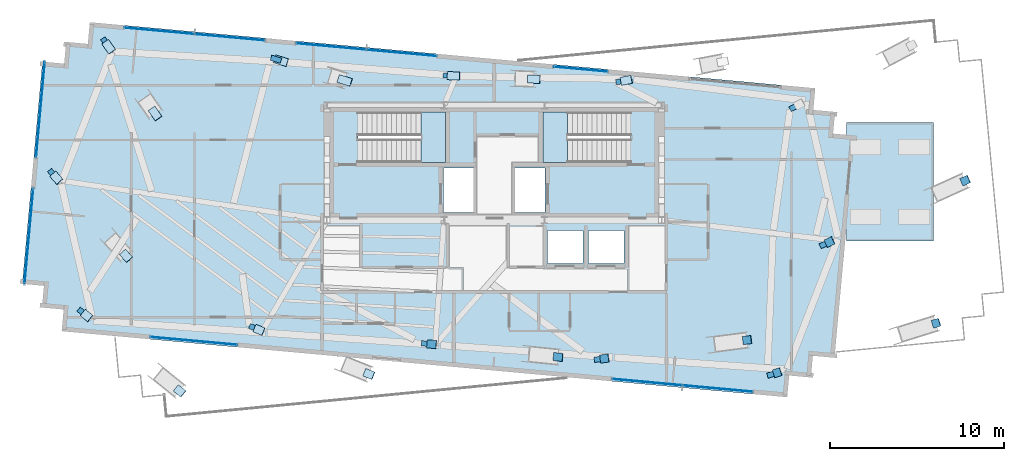
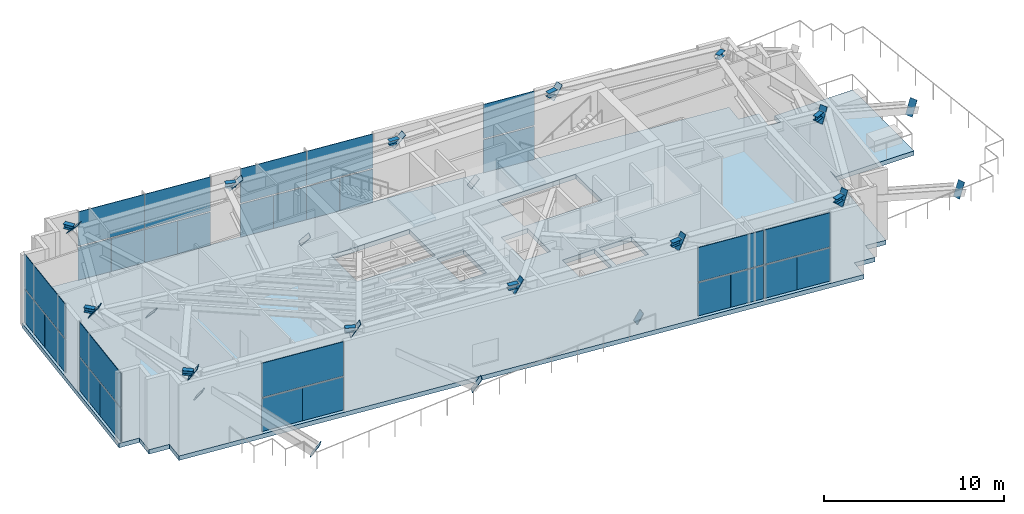
# One storey, part 12 of 20: 50 plates, 12 beams, 3 slabs, 9 elements without a shape of their own.
"""IFC4 building model written with IfcOpenShell, lengths in metres."""

import ifcopenshell
import ifcopenshell.guid

model = None  # the IFC model being written
_history = None  # IfcOwnerHistory: only IFC2X3 demands one
_inside = {}  # id of a spatial element -> (the spatial element, [elements in it])
_under = {}  # id of a project, library or spatial element -> (it, [spatial elements below it])
_declared = {}  # id of a project -> (the project, [libraries it declares])
_typed = {}  # id of a type object -> (the type object, [elements of that type])
_made_of = {}  # id of a material, layer set ... -> (it, [elements and type objects made of it])


def new_model(schema):
    """Start an empty IFC model of exactly this schema.

    Asked for "IFC4X3", IfcOpenShell would pick the latest addendum, in which some entities
    have other attributes; the version numbers below select the first issue.
    IFC2X3 requires an IfcOwnerHistory on every rooted entity: one is made here for all.
    """
    global model, _history
    if schema == "IFC4X3":
        model = ifcopenshell.file(schema_version=(4, 3, 0, 0))
    else:
        model = ifcopenshell.file(schema=schema)
    _inside.clear()
    _under.clear()
    _declared.clear()
    _typed.clear()
    _made_of.clear()
    _history = None
    if model.schema == "IFC2X3":
        org = make("IfcOrganization", Name="unknown")
        user = make(
            "IfcPersonAndOrganization",
            ThePerson=make("IfcPerson", FamilyName="unknown"),
            TheOrganization=org,
        )
        app = make(
            "IfcApplication",
            ApplicationDeveloper=org,
            Version="unknown",
            ApplicationFullName="unknown",
            ApplicationIdentifier="unknown",
        )
        _history = make(
            "IfcOwnerHistory",
            OwningUser=user,
            OwningApplication=app,
            ChangeAction="ADDED",
            CreationDate=0,
        )
    return model


def make(cls, **values):
    """One entity of the class cls with the attributes given. An attribute that is None is left unset."""
    return model.create_entity(
        cls, **{name: value for name, value in values.items() if value is not None}
    )


def rooted(cls, **values):
    """An entity with a GlobalId (a new one), such as an element, a storey or a relation."""
    return make(cls, GlobalId=ifcopenshell.guid.new(), OwnerHistory=_history, **values)


def si_unit(unit_type, name, prefix=None):
    """IfcSIUnit, for example si_unit("LENGTHUNIT", "METRE", prefix="MILLI")."""
    return make("IfcSIUnit", UnitType=unit_type, Prefix=prefix, Name=name)


def assignment(units):
    """IfcUnitAssignment: the units of a project."""
    return None if units is None else make("IfcUnitAssignment", Units=units)


def point(xyz):
    """IfcCartesianPoint."""
    return None if xyz is None else make("IfcCartesianPoint", Coordinates=xyz)


def direction(xyz):
    """IfcDirection."""
    return None if xyz is None else make("IfcDirection", DirectionRatios=xyz)


def frame(location, z_axis=None, x_axis=None):
    """IfcAxis2Placement3D, a coordinate frame: its origin and axes. An axis left out is left unset."""
    return make(
        "IfcAxis2Placement3D",
        Location=point(location),
        Axis=direction(z_axis),
        RefDirection=direction(x_axis),
    )


def frame_2d(location, x_axis=None):
    """IfcAxis2Placement2D, a coordinate frame in the plane: its origin and x axis."""
    return make(
        "IfcAxis2Placement2D", Location=point(location), RefDirection=direction(x_axis)
    )


def origin():
    """The frame at (0, 0, 0) with its axes left unset."""
    return frame((0.0, 0.0, 0.0))


def origin_2d():
    """The frame at (0, 0) in the plane with its x axis left unset."""
    return frame_2d((0.0, 0.0))


def place(relative_to, where):
    """IfcLocalPlacement: puts the frame where relative to a parent placement (None: the world)."""
    return make(
        "IfcLocalPlacement", PlacementRelTo=relative_to, RelativePlacement=where
    )


def context(
    kind, dimensions, precision=None, world=None, true_north=None, identifier=None
):
    """IfcGeometricRepresentationContext, for example the 3D "Model" context."""
    return make(
        "IfcGeometricRepresentationContext",
        ContextIdentifier=identifier,
        ContextType=kind,
        CoordinateSpaceDimension=dimensions,
        Precision=precision,
        WorldCoordinateSystem=world,
        TrueNorth=true_north,
    )


def subcontext(parent, identifier, kind, view, scale=None):
    """IfcGeometricRepresentationSubContext, for example "Body" below "Model"."""
    return make(
        "IfcGeometricRepresentationSubContext",
        ContextIdentifier=identifier,
        ContextType=kind,
        ParentContext=parent,
        TargetScale=scale,
        TargetView=view,
    )


def project(units=None, contexts=None):
    """IfcProject with its units and contexts."""
    return rooted(
        "IfcProject",
        Name="project",
        RepresentationContexts=contexts,
        UnitsInContext=assignment(units),
    )


def spatial(cls, under=None, at=None, **own):
    """A site, building, storey or space (cls), placed at a placement, below another one or the project."""
    s = rooted(cls, ObjectPlacement=at, **own)
    if under is not None:
        _under.setdefault(under.id(), (under, []))[1].append(s)
    return s


def polyline(points):
    """IfcPolyline through the points."""
    return make("IfcPolyline", Points=[point(p) for p in points])


def profile(cls, at=None, kind="AREA", **sizes):
    """A parametric profile (cls). Its sizes go by their IFC names, for example OverallWidth=200.0."""
    return make(cls, ProfileType=kind, Position=at, **sizes)


def rectangle(**sizes):
    """IfcRectangleProfileDef."""
    return profile("IfcRectangleProfileDef", **sizes)


def i_section(**sizes):
    """IfcIShapeProfileDef."""
    return profile("IfcIShapeProfileDef", **sizes)


def outline(outer, holes=None, kind="AREA"):
    """IfcArbitraryClosedProfileDef: a profile drawn as a closed curve; with holes, ...WithVoids."""
    if holes is None:
        return make("IfcArbitraryClosedProfileDef", ProfileType=kind, OuterCurve=outer)
    return make(
        "IfcArbitraryProfileDefWithVoids",
        ProfileType=kind,
        OuterCurve=outer,
        InnerCurves=holes,
    )


def extrude(swept, where, along, depth):
    """IfcExtrudedAreaSolid: the profile swept, set in the frame where, extruded along a direction by depth."""
    return make(
        "IfcExtrudedAreaSolid",
        SweptArea=swept,
        Position=where,
        ExtrudedDirection=direction(along),
        Depth=depth,
    )


def shape(context_of_items, identifier, shape_type, items):
    """IfcShapeRepresentation: the items that make up one representation, for example the "Body"."""
    return make(
        "IfcShapeRepresentation",
        ContextOfItems=context_of_items,
        RepresentationIdentifier=identifier,
        RepresentationType=shape_type,
        Items=items,
    )


def source(mapping_origin, context_of_items, identifier, shape_type, items):
    """IfcRepresentationMap: a shape defined once, which mapped items show again and again."""
    return make(
        "IfcRepresentationMap",
        MappingOrigin=mapping_origin,
        MappedRepresentation=shape(context_of_items, identifier, shape_type, items),
    )


def transform(
    local_origin,
    x_axis=None,
    y_axis=None,
    z_axis=None,
    scale=None,
    scale2=None,
    scale3=None,
    uniform=True,
):
    """IfcCartesianTransformationOperator3D, or its non-uniform kind. x_axis, y_axis, z_axis: its Axis1, 2, 3."""
    if uniform:
        return make(
            "IfcCartesianTransformationOperator3D",
            Axis1=direction(x_axis),
            Axis2=direction(y_axis),
            LocalOrigin=point(local_origin),
            Scale=scale,
            Axis3=direction(z_axis),
        )
    return make(
        "IfcCartesianTransformationOperator3DnonUniform",
        Axis1=direction(x_axis),
        Axis2=direction(y_axis),
        LocalOrigin=point(local_origin),
        Scale=scale,
        Axis3=direction(z_axis),
        Scale2=scale2,
        Scale3=scale3,
    )


def mapped(mapping_source, mapping_target):
    """IfcMappedItem: shows the shape of a source again, moved by a transform."""
    return make(
        "IfcMappedItem", MappingSource=mapping_source, MappingTarget=mapping_target
    )


def material(Name=None, Category=None):
    """IfcMaterial."""
    return make("IfcMaterial", Name=Name, Category=Category)


def layer(
    of_material, thickness, ventilated=None, Name=None, Category=None, Priority=None
):
    """IfcMaterialLayer: one layer of a wall or slab, of a material (None: an air gap)."""
    return make(
        "IfcMaterialLayer",
        Material=of_material,
        LayerThickness=thickness,
        IsVentilated=ventilated,
        Name=Name,
        Category=Category,
        Priority=Priority,
    )


def layer_set(layers, Name=None):
    """IfcMaterialLayerSet."""
    return make("IfcMaterialLayerSet", MaterialLayers=layers, LayerSetName=Name)


def material_profile(
    of_material, cross_section, Name=None, Category=None, Priority=None
):
    """IfcMaterialProfile: a cross section and its material."""
    return make(
        "IfcMaterialProfile",
        Name=Name,
        Material=of_material,
        Profile=cross_section,
        Priority=Priority,
        Category=Category,
    )


def profile_set(profiles, Name=None, composite=None):
    """IfcMaterialProfileSet."""
    return make(
        "IfcMaterialProfileSet",
        Name=Name,
        MaterialProfiles=profiles,
        CompositeProfile=composite,
    )


def made_of(thing, what):
    """Note that an element or type object is made of a material, layer set ...; save() writes the relation."""
    if what is not None:
        _made_of.setdefault(what.id(), (what, []))[1].append(thing)
    return thing


def type_object(cls, material=None, **own):
    """A type object (cls), such as IfcWallType, which elements share."""
    return made_of(rooted(cls, **own), material)


def type_shapes(of_type, sources):
    """Give a type object the sources (RepresentationMaps) that its elements show as mapped items."""
    of_type.RepresentationMaps = sources


def element(
    cls,
    number,
    at=None,
    inside=None,
    cuts=None,
    type_object=None,
    material=None,
    context=None,
    identifier="Body",
    shape_type=None,
    held_by="IfcProductDefinitionShape",
    body=None,
    shapes=None,
    **own,
):
    """One element of the class cls, such as IfcWall. Its Tag is "e" and its number.

    at: its placement. inside: the storey or other place that contains it. cuts: it is an
    opening in that element (IfcRelVoidsElement). A single representation is given by context,
    identifier, shape_type and body (its items); several are given by shapes. held_by: the class
    of the entity that holds the representations. save() writes the other relations.
    """
    e = rooted(cls, Tag="e%d" % number, ObjectPlacement=at, **own)
    if body is not None:
        shapes = [shape(context, identifier, shape_type, body)]
    if shapes is not None:
        e.Representation = make(held_by, Representations=shapes)
    if inside is not None:
        _inside.setdefault(inside.id(), (inside, []))[1].append(e)
    if cuts is not None:
        rooted(
            "IfcRelVoidsElement", RelatingBuildingElement=cuts, RelatedOpeningElement=e
        )
    if type_object is not None:
        _typed.setdefault(type_object.id(), (type_object, []))[1].append(e)
    return made_of(e, material)


def aggregate(whole, parts):
    """IfcRelAggregates: a whole, such as a stair, and the parts it consists of."""
    return rooted("IfcRelAggregates", RelatingObject=whole, RelatedObjects=parts)


def save(model, path):
    """Write the relations noted so far, then the file.

    IfcRelAggregates (storeys below a building ...), IfcRelContainedInSpatialStructure (elements
    in a storey), IfcRelDefinesByType, IfcRelAssociatesMaterial and IfcRelDeclares: one each for
    every whole, place, type object, material and project.
    """
    for whole, parts in _under.values():
        aggregate(whole, parts)
    for where, things in _inside.values():
        rooted(
            "IfcRelContainedInSpatialStructure",
            RelatedElements=things,
            RelatingStructure=where,
        )
    for kind, things in _typed.values():
        rooted("IfcRelDefinesByType", RelatedObjects=things, RelatingType=kind)
    for what, things in _made_of.values():
        rooted("IfcRelAssociatesMaterial", RelatedObjects=things, RelatingMaterial=what)
    for by, libraries in _declared.values():
        rooted("IfcRelDeclares", RelatingContext=by, RelatedDefinitions=libraries)
    model.write(path)


model = new_model("IFC4")

# Units and contexts
model_context = context("Model", 3, precision=1e-05, world=origin(), true_north=direction((0.0, 1.0)))
body_context = subcontext(model_context, "Body", "Model", "MODEL_VIEW")
ifc_project = project(units=[si_unit("LENGTHUNIT", "METRE"), si_unit("AREAUNIT", "SQUARE_METRE"), si_unit("VOLUMEUNIT", "CUBIC_METRE"), si_unit("PLANEANGLEUNIT", "RADIAN"), si_unit("MASSUNIT", "GRAM", prefix="KILO")], contexts=[model_context])

# Site, building, storey
site_placement = place(None, origin())
site = spatial("IfcSite", under=ifc_project, at=site_placement, CompositionType="ELEMENT")
building_placement = place(site_placement, origin())
building = spatial("IfcBuilding", under=site, at=building_placement, Name="Astriad Promenade Condominiums", CompositionType="ELEMENT")
storey_placement = place(building_placement, frame((0.0, 0.0, 211.39990234375)))
storey = spatial("IfcBuildingStorey", under=building, at=storey_placement, Name="L61", CompositionType="ELEMENT", Elevation=211.39990234375)

# Beams
ifc_material_1 = material(Name="Steel ASTM A992 Grade 50", Category="steel")
ifc_material_profile = material_profile(ifc_material_1, i_section(OverallWidth=0.3046875, OverallDepth=0.307861328125, WebThickness=0.010009765625, FlangeThickness=0.015380859375, FilletRadius=0.01513671875, at=origin_2d()), Name="W12X65")
ifc_profile_set = profile_set([ifc_material_profile], Name="Steel ASTM A992 Grade 50")
beam_type = type_object("IfcBeamType", Name="STEEL TRANSFER SPLICE HEADER W12X65", PredefinedType="LINTEL", material=ifc_profile_set)
shared_shape_1 = source(origin(), body_context, "Body", "SweptSolid", [
    extrude(i_section(OverallWidth=0.3046875, OverallDepth=0.307861328125, WebThickness=0.010009765625, FlangeThickness=0.015380859375, FilletRadius=0.01513671875, at=origin_2d()), origin(), (0.0, 0.0, 1.0), 0.6015625),
])
for number, where, z_axis, x_axis, name in (
    (1, (12.6142578125, 11.918212890625, 4.626220703125), (-0.777292130456, 0.629139844495, 0.0), (-0.629139844495, -0.777292130456, 0.0), "Column Transfer Splice Header SPL-PC01-L61"),
    (2, (22.514404296875, 11.099365234375, 4.626220703125), (-0.928028254314, 0.37250981087, 0.0), (-0.37250981087, -0.928028254314, 0.0), "Column Transfer Splice Header SPL-PC02-L61"),
    (3, (52.248291015625, 8.65087890625, 4.626220703125), (-0.954861892161, -0.297050108398, 0.0), (0.297050108398, -0.954861892161, 0.0), "Column Transfer Splice Header SPL-PC05-L61"),
    (4, (13.88037109375, 27.340087890625, 4.626220703125), (-0.570707648261, 0.821153323209, 0.0), (-0.821153323209, -0.570707648261, 0.0), "Column Transfer Splice Header SPL-PC06-L61"),
    (5, (53.50439453125, 24.044189453125, 4.626220703125), (-0.885067824003, -0.465462078923, 0.0), (0.465462078923, -0.885067824003, 0.0), "Column Transfer Splice Header SPL-PC10-L61"),
    (6, (55.247314453125, 16.152099609375, 4.626220703125), (-0.911046229327, -0.412304217816, 0.0), (0.412304217816, -0.911046229327, 0.0), "Column Transfer Splice Header SPL-PC12-L61"),
):
    element("IfcBeam", number, at=place(storey_placement, frame(where, z_axis=z_axis, x_axis=x_axis)), inside=storey, type_object=beam_type, Name=name, PredefinedType="LINTEL", context=body_context, shape_type="MappedRepresentation", body=[
        mapped(shared_shape_1, transform((0.0, 0.0, 0.0), scale=1.0)),
    ])
shared_shape_2 = source(origin(), body_context, "Body", "SweptSolid", [
    extrude(i_section(OverallWidth=0.3046875, OverallDepth=0.307861328125, WebThickness=0.010009765625, FlangeThickness=0.015380859375, FilletRadius=0.01513671875, at=origin_2d()), origin(), (0.0, 0.0, 1.0), 0.601806640625),
])
beam_placement = place(storey_placement, frame((32.421142578125, 10.279296875, 4.626220703125), z_axis=(-0.994924066394, 0.100628535263, 0.0), x_axis=(-0.100628535263, -0.994924066394, 0.0)))
element("IfcBeam", 7, at=beam_placement, inside=storey, type_object=beam_type, Name="Column Transfer Splice Header SPL-PC03-L61", PredefinedType="LINTEL", context=body_context, shape_type="MappedRepresentation", body=[
    mapped(shared_shape_2, transform((0.0, 0.0, 0.0), scale=1.0)),
])
shared_shape_3 = source(origin(), body_context, "Body", "SweptSolid", [
    extrude(i_section(OverallWidth=0.3046875, OverallDepth=0.307861328125, WebThickness=0.010009765625, FlangeThickness=0.015380859375, FilletRadius=0.01513671875, at=origin_2d()), origin(), (0.0, 0.0, 1.0), 0.601318359375),
])
type_shapes(beam_type, [shared_shape_1, shared_shape_2, shared_shape_3])
for number, where, z_axis, x_axis, name in (
    (8, (42.33349609375, 9.462890625, 4.626220703125), (-0.991737929733, -0.128280469012, 0.0), (0.128280469012, -0.991737929733, 0.0), "Column Transfer Splice Header SPL-PC04-L61"),
    (9, (23.762939453125, 26.547607421875, 4.626220703125), (-0.955206682019, 0.295939511769, 0.0), (-0.295939511769, -0.955206682019, 0.0), "Column Transfer Splice Header SPL-PC07-L61"),
    (10, (33.67041015625, 25.68115234375, 4.626220703125), (-0.99914219607, 0.041411013409, 0.0), (-0.041411013409, -0.99914219607, 0.0), "Column Transfer Splice Header SPL-PC08-L61"),
    (11, (43.583984375, 25.42333984375, 4.626220703125), (-0.981945593386, -0.189163557882, 0.0), (0.189163557882, -0.981945593386, 0.0), "Column Transfer Splice Header SPL-PC09-L61"),
    (12, (10.877685546875, 19.823974609375, 4.626220703125), (-0.666201303323, 0.74577196478, 0.0), (-0.74577196478, -0.666201303323, 0.0), "Column Transfer Splice Header SPL-PC11-L61"),
):
    element("IfcBeam", number, at=place(storey_placement, frame(where, z_axis=z_axis, x_axis=x_axis)), inside=storey, type_object=beam_type, Name=name, PredefinedType="LINTEL", context=body_context, shape_type="MappedRepresentation", body=[
        mapped(shared_shape_3, transform((0.0, 0.0, 0.0), scale=1.0)),
    ])

# Slab
ifc_material_2 = material(Name="Concrete C50/60", Category="concrete")
ifc_layer_1 = layer(ifc_material_2, 0.300048828125)
ifc_layer_set_1 = layer_set([ifc_layer_1], Name="Concrete C50/60")
slab_type_1 = type_object("IfcSlabType", Name="CONCRETE PODIUM AND PLANT FLOOR SLAB 300", PredefinedType="FLOOR", material=ifc_layer_set_1)
slab_1_placement = place(storey_placement, frame((0.0, 0.0, -0.2998046875)))
element("IfcSlab", 13, at=slab_1_placement, inside=storey, type_object=slab_type_1, Name="Structural Floor Slab (L61)", PredefinedType="FLOOR", context=body_context, shape_type="SweptSolid", body=[
    extrude(outline(polyline([(56.199951171875, 16.93798828125), (56.199951171875, 16.199951171875), (61.199951171875, 16.199951171875), (61.199951171875, 23.0), (56.199951171875, 23.0), (56.199951171875, 22.296875), (55.43896484375, 22.3662109375), (55.55224609375, 23.611083984375), (54.307373046875, 23.724365234375), (54.420654296875, 24.96923828125), (12.79248046875, 28.757568359375), (12.679443359375, 27.5126953125), (11.4345703125, 27.6259765625), (11.3212890625, 26.381103515625), (10.076416015625, 26.494384765625), (8.916259765625, 13.7470703125), (10.1611328125, 13.6337890625), (10.0478515625, 12.388916015625), (11.292724609375, 12.275634765625), (11.179443359375, 11.03076171875), (52.807373046875, 7.242431640625), (52.920654296875, 8.4873046875), (54.16552734375, 8.3740234375), (54.27880859375, 9.618896484375), (55.523681640625, 9.505615234375), (56.199951171875, 16.93798828125)]), holes=[polyline([(28.175048828125, 20.699951171875), (33.175048828125, 20.699951171875), (33.175048828125, 23.60009765625), (28.175048828125, 23.60009765625), (28.175048828125, 20.699951171875)]), polyline([(38.824951171875, 20.699951171875), (43.824951171875, 20.699951171875), (43.824951171875, 23.60009765625), (38.824951171875, 23.60009765625), (38.824951171875, 20.699951171875)]), polyline([(33.10009765625, 17.85009765625), (34.800048828125, 17.85009765625), (34.800048828125, 20.39990234375), (33.10009765625, 20.39990234375), (33.10009765625, 17.85009765625)]), polyline([(37.199951171875, 17.85009765625), (38.89990234375, 17.85009765625), (38.89990234375, 20.39990234375), (37.199951171875, 20.39990234375), (37.199951171875, 17.85009765625)]), polyline([(39.050048828125, 14.89990234375), (41.10009765625, 14.89990234375), (41.10009765625, 16.800048828125), (39.050048828125, 16.800048828125), (39.050048828125, 14.89990234375)]), polyline([(41.39990234375, 14.89990234375), (43.449951171875, 14.89990234375), (43.449951171875, 16.800048828125), (41.39990234375, 16.800048828125), (41.39990234375, 14.89990234375)])]), origin(), (0.0, 0.0, 1.0), 0.2998046875),
])

# Stair, slab
stair_type = type_object("IfcStairType", Name="STR-CORE-1350", PredefinedType="HALF_TURN_STAIR", material=ifc_material_2)
stair_1_placement = place(storey_placement, origin())
stair_1 = element("IfcStair", 14, at=stair_1_placement, inside=storey, type_object=stair_type, Name="L61 Enclosed Core Exit Stair ST-1", PredefinedType="HALF_TURN_STAIR")
ifc_layer_2 = layer(ifc_material_2, 0.219970703125)
ifc_layer_set_2 = layer_set([ifc_layer_2], Name="Concrete C50/60")
slab_type_2 = type_object("IfcSlabType", Name="SLB-LANDING-220", PredefinedType="LANDING", material=ifc_layer_set_2)
slab_2_placement = place(storey_placement, frame((0.0, 0.0, 2.400146484375)))
slab_2 = element("IfcSlab", 15, at=slab_2_placement, type_object=slab_type_2, Name="ST-1 landing 1", PredefinedType="LANDING", context=body_context, shape_type="SweptSolid", body=[
    extrude(outline(polyline([(31.7900390625, 20.699951171875), (33.199951171875, 20.699951171875), (33.199951171875, 23.60009765625), (31.7900390625, 23.60009765625), (31.7900390625, 20.699951171875)])), origin(), (0.0, 0.0, 1.0), 0.199951171875),
])
aggregate(stair_1, [slab_2])

stair_2_placement = place(storey_placement, origin())
stair_2 = element("IfcStair", 16, at=stair_2_placement, inside=storey, type_object=stair_type, Name="L61 Enclosed Core Exit Stair ST-2", PredefinedType="HALF_TURN_STAIR")
slab_3_placement = place(storey_placement, frame((0.0, 0.0, 2.400146484375)))
slab_3 = element("IfcSlab", 17, at=slab_3_placement, type_object=slab_type_2, Name="ST-2 landing 1", PredefinedType="LANDING", context=body_context, shape_type="SweptSolid", body=[
    extrude(outline(polyline([(40.2099609375, 23.60009765625), (38.800048828125, 23.60009765625), (38.800048828125, 20.699951171875), (40.2099609375, 20.699951171875), (40.2099609375, 23.60009765625)])), origin(), (0.0, 0.0, 1.0), 0.199951171875),
])
aggregate(stair_2, [slab_3])

# Plates
ifc_material_3 = material(Name="Steel ASTM A572 Grade 50", Category="steel")
ifc_layer_3 = layer(ifc_material_3, 0.02490234375)
ifc_layer_set_3 = layer_set([ifc_layer_3], Name="Steel ASTM A572 Grade 50")
plate_type_1 = type_object("IfcPlateType", Name="STEEL HOLLOW SECTION END CAP PLATE 30", PredefinedType="USERDEFINED", material=ifc_layer_set_3)
shared_shape_4 = source(origin(), body_context, "Body", "SweptSolid", [
    extrude(rectangle(XDim=0.467529296875, YDim=1.015625, at=origin_2d()), origin(), (0.0, 0.0, 1.0), 0.02490234375),
])
type_shapes(plate_type_1, [shared_shape_4])
for number, where, z_axis, x_axis, name in (
    (18, (17.953369140625, 7.593017578125, 0.178466796875), (-0.653950586925, 0.52975538294, 0.540099864938), (-0.629461494305, -0.777031677081, 0.0), "Hollow Section End Cap Plate COL-PC01-L61-A"),
    (19, (12.614013671875, 11.918212890625, 4.588134765625), (-0.653950586925, 0.52975538294, 0.540099864938), (-0.629461494305, -0.777031677081, 0.0), "Hollow Section End Cap Plate COL-PC01-L61-B"),
    (20, (28.8154296875, 8.5693359375, 0.177734375), (-0.778196627035, 0.312462992014, 0.544772327025), (-0.372607866331, -0.927988888914, 0.0), "Hollow Section End Cap Plate COL-PC02-L61-A"),
    (21, (22.514404296875, 11.099365234375, 4.5888671875), (-0.778196627035, 0.312462992014, 0.544772327025), (-0.372607866331, -0.927988888914, 0.0), "Hollow Section End Cap Plate COL-PC02-L61-B"),
    (22, (39.6689453125, 9.547119140625, 0.18212890625), (-0.85148824325, 0.086023076025, 0.517269564152), (-0.100515087293, -0.994935534206, 0.0), "Hollow Section End Cap Plate COL-PC03-L61-A"),
    (23, (32.4208984375, 10.279541015625, 4.58544921875), (-0.85148824325, 0.086023076025, 0.517269564152), (-0.100515087293, -0.994935534206, 0.0), "Hollow Section End Cap Plate COL-PC03-L61-B"),
    (24, (50.51611328125, 10.520751953125, 0.18896484375), (-0.875510808794, -0.113195124973, 0.46975279389), (0.12822313224, -0.991745344511, 0.0), "Hollow Section End Cap Plate COL-PC04-L61-A"),
    (25, (42.333740234375, 9.462890625, 4.579345703125), (-0.875510808794, -0.113195124973, 0.46975279389), (0.12822313224, -0.991745344511, 0.0), "Hollow Section End Cap Plate COL-PC04-L61-B"),
    (26, (61.360107421875, 11.489013671875, 0.196044921875), (-0.867815508937, -0.27029317498, 0.41693865497), (0.297373613736, -0.954761192055, 0.0), "Hollow Section End Cap Plate COL-PC05-L61-A"),
    (27, (52.248046875, 8.65087890625, 4.573974609375), (-0.867815508937, -0.27029317498, 0.41693865497), (0.297373613736, -0.954761192055, 0.0), "Hollow Section End Cap Plate COL-PC05-L61-B"),
    (28, (16.543212890625, 23.511962890625, 0.1494140625), (-0.412471052861, 0.592978648801, 0.691551843767), (-0.820928456876, -0.571031057554, 0.0), "Hollow Section End Cap Plate COL-PC06-L61-A"),
    (29, (13.88037109375, 27.340087890625, 4.61376953125), (-0.412471052861, 0.592978648801, 0.691551843767), (-0.820928456876, -0.571031057554, 0.0), "Hollow Section End Cap Plate COL-PC06-L61-B"),
    (30, (27.424560546875, 25.4130859375, 0.131591796875), (-0.61959183385, 0.191939051954, 0.761094842816), (-0.29590970586, -0.955215915894, 0.0), "Hollow Section End Cap Plate COL-PC07-L61-A"),
    (31, (23.76318359375, 26.54736328125, 4.62939453125), (-0.61959183385, 0.191939051954, 0.761094842816), (-0.29590970586, -0.955215915894, 0.0), "Hollow Section End Cap Plate COL-PC07-L61-B"),
    (32, (38.278564453125, 25.4892578125, 0.1484375), (-0.717745263695, 0.029851322987, 0.695665605704), (-0.041554490278, -0.999136239127, 0.0), "Hollow Section End Cap Plate COL-PC08-L61-A"),
    (33, (33.670654296875, 25.680908203125, 4.61474609375), (-0.717745263695, 0.029851322987, 0.695665605704), (-0.041554490278, -0.999136239127, 0.0), "Hollow Section End Cap Plate COL-PC08-L61-B"),
    (34, (43.583740234375, 25.42333984375, 4.599853515625), (-0.772001612871, -0.149003860975, 0.617908859897), (0.189512129462, -0.981878379835, 0.0), "Hollow Section End Cap Plate COL-PC09-L61-B"),
    (35, (14.878662109375, 15.34423828125, 0.16943359375), (-0.536244379005, 0.600388766006, 0.593275059006), (-0.745824724173, -0.666142237673, 0.0), "Hollow Section End Cap Plate COL-PC11-L61-A"),
    (36, (10.877685546875, 19.82373046875, 4.59619140625), (-0.536244379005, 0.600388766006, 0.593275059006), (-0.745824724173, -0.666142237673, 0.0), "Hollow Section End Cap Plate COL-PC11-L61-B"),
    (37, (63.02978515625, 19.674072265625, 0.19091796875), (-0.81042947221, -0.366746404095, 0.456838205119), (0.412283159773, -0.911055759088, 0.0), "Hollow Section End Cap Plate COL-PC12-L61-A"),
    (38, (55.247314453125, 16.152099609375, 4.577880859375), (-0.81042947221, -0.366746404095, 0.456838205119), (0.412283159773, -0.911055759088, 0.0), "Hollow Section End Cap Plate COL-PC12-L61-B"),
):
    element("IfcPlate", number, at=place(storey_placement, frame(where, z_axis=z_axis, x_axis=x_axis)), inside=storey, type_object=plate_type_1, Name=name, ObjectType="STIFFENER_PLATE", PredefinedType="USERDEFINED", context=body_context, shape_type="MappedRepresentation", body=[
        mapped(shared_shape_4, transform((0.0, 0.0, 0.0), scale=1.0)),
    ])

# Curtain wall, plates
ifc_material_4 = material(Name="Anodised aluminium Black Dark Glass Unitised", Category="aluminium")
curtain_wall_type = type_object("IfcCurtainWallType", Name="CW-B5-DARK", PredefinedType="USERDEFINED", material=ifc_material_4)
curtain_wall_1_placement = place(storey_placement, origin())
curtain_wall_1 = element("IfcCurtainWall", 39, at=curtain_wall_1_placement, inside=storey, type_object=curtain_wall_type, Name="CW-L61-W-1", ObjectType="UNITISED_CURTAIN_WALL", PredefinedType="USERDEFINED")
ifc_material_5 = material(Name="Dark Tinted Low-E Laminated Glass", Category="glass")
ifc_layer_4 = layer(ifc_material_5, 0.035888671875)
ifc_layer_set_4 = layer_set([ifc_layer_4], Name="Dark Tinted Low-E Laminated Glass")
plate_type_2 = type_object("IfcPlateType", Name="PNL-DARK-GLASS-36", PredefinedType="CURTAIN_PANEL", material=ifc_layer_set_4)
shared_shape_5 = source(origin(), body_context, "Body", "SweptSolid", [
    extrude(rectangle(XDim=2.738037109375, YDim=0.035888671875, at=origin_2d()), origin(), (0.0, 0.0, 1.0), 2.22998046875),
])
plate_1_placement = place(storey_placement, frame((9.17041015625, 15.104736328125, 0.080078125), z_axis=(0.0, 0.0, 1.0), x_axis=(0.090632580198, 0.995884398616, 0.0)))
plate_1 = element("IfcPlate", 40, at=plate_1_placement, type_object=plate_type_2, Name="CW-L61-W-1-PNL-00-VL", PredefinedType="CURTAIN_PANEL", context=body_context, shape_type="MappedRepresentation", body=[
    mapped(shared_shape_5, transform((0.0, 0.0, 0.0), scale=1.0)),
])
plate_2_placement = place(storey_placement, frame((9.419677734375, 17.843505859375, 0.080078125), z_axis=(0.0, 0.0, 1.0), x_axis=(0.090632580198, 0.995884398616, 0.0)))
plate_2 = element("IfcPlate", 41, at=plate_2_placement, type_object=plate_type_2, Name="CW-L61-W-1-PNL-00-VR", PredefinedType="CURTAIN_PANEL", context=body_context, shape_type="MappedRepresentation", body=[
    mapped(shared_shape_5, transform((0.0, 0.0, 0.0), scale=1.0)),
])

curtain_wall_2_placement = place(storey_placement, origin())
curtain_wall_2 = element("IfcCurtainWall", 42, at=curtain_wall_2_placement, inside=storey, type_object=curtain_wall_type, Name="CW-L61-W-2", ObjectType="UNITISED_CURTAIN_WALL", PredefinedType="USERDEFINED")
plate_3_placement = place(storey_placement, frame((9.83203125, 22.37451171875, 0.080078125), z_axis=(0.0, 0.0, 1.0), x_axis=(0.090632580198, 0.995884398616, 0.0)))
plate_3 = element("IfcPlate", 43, at=plate_3_placement, type_object=plate_type_2, Name="CW-L61-W-2-PNL-00-VL", PredefinedType="CURTAIN_PANEL", context=body_context, shape_type="MappedRepresentation", body=[
    mapped(shared_shape_5, transform((0.0, 0.0, 0.0), scale=1.0)),
])
plate_4_placement = place(storey_placement, frame((10.081298828125, 25.11328125, 0.080078125), z_axis=(0.0, 0.0, 1.0), x_axis=(0.090632580198, 0.995884398616, 0.0)))
plate_4 = element("IfcPlate", 44, at=plate_4_placement, type_object=plate_type_2, Name="CW-L61-W-2-PNL-00-VR", PredefinedType="CURTAIN_PANEL", context=body_context, shape_type="MappedRepresentation", body=[
    mapped(shared_shape_5, transform((0.0, 0.0, 0.0), scale=1.0)),
])

# Plate
shared_shape_6 = source(origin(), body_context, "Body", "SweptSolid", [
    extrude(rectangle(XDim=5.488037109375, YDim=0.035888671875, at=origin_2d()), origin(), (0.0, 0.0, 1.0), 2.31005859375),
])
plate_5_placement = place(storey_placement, frame((9.294921875, 16.47412109375, 2.39013671875), z_axis=(0.0, 0.0, 1.0), x_axis=(0.090632580198, 0.995884398616, 0.0)))
plate_5 = element("IfcPlate", 45, at=plate_5_placement, type_object=plate_type_2, Name="CW-L61-W-1-PNL-00-S", PredefinedType="CURTAIN_PANEL", context=body_context, shape_type="MappedRepresentation", body=[
    mapped(shared_shape_6, transform((0.0, 0.0, 0.0), scale=1.0)),
])

aggregate(curtain_wall_1, [plate_1, plate_2, plate_5])

plate_6_placement = place(storey_placement, frame((9.95654296875, 23.743896484375, 2.39013671875), z_axis=(0.0, 0.0, 1.0), x_axis=(0.090632580198, 0.995884398616, 0.0)))
plate_6 = element("IfcPlate", 46, at=plate_6_placement, type_object=plate_type_2, Name="CW-L61-W-2-PNL-00-S", PredefinedType="CURTAIN_PANEL", context=body_context, shape_type="MappedRepresentation", body=[
    mapped(shared_shape_6, transform((0.0, 0.0, 0.0), scale=1.0)),
])

aggregate(curtain_wall_2, [plate_3, plate_4, plate_6])

# Curtain wall, plates
curtain_wall_3_placement = place(storey_placement, origin())
curtain_wall_3 = element("IfcCurtainWall", 47, at=curtain_wall_3_placement, inside=storey, type_object=curtain_wall_type, Name="CW-L61-N-1", ObjectType="UNITISED_CURTAIN_WALL", PredefinedType="USERDEFINED")
shared_shape_7 = source(origin(), body_context, "Body", "SweptSolid", [
    extrude(rectangle(XDim=2.012939453125, YDim=0.035888671875, at=origin_2d()), origin(), (0.0, 0.0, 1.0), 2.22998046875),
])
plate_7_placement = place(storey_placement, frame((15.781005859375, 28.35498046875, 0.080078125), z_axis=(0.0, 0.0, 1.0), x_axis=(0.995884398616, -0.090632580198, 0.0)))
plate_7 = element("IfcPlate", 48, at=plate_7_placement, type_object=plate_type_2, Name="CW-L61-N-1-PNL-00-VL", PredefinedType="CURTAIN_PANEL", context=body_context, shape_type="MappedRepresentation", body=[
    mapped(shared_shape_7, transform((0.0, 0.0, 0.0), scale=1.0)),
])
plate_8_placement = place(storey_placement, frame((17.797607421875, 28.17138671875, 0.080078125), z_axis=(0.0, 0.0, 1.0), x_axis=(0.995884398616, -0.090632580198, 0.0)))
plate_8 = element("IfcPlate", 49, at=plate_8_placement, type_object=plate_type_2, Name="CW-L61-N-1-PNL-00-VR", PredefinedType="CURTAIN_PANEL", context=body_context, shape_type="MappedRepresentation", body=[
    mapped(shared_shape_7, transform((0.0, 0.0, 0.0), scale=1.0)),
])
plate_9_placement = place(storey_placement, frame((19.814208984375, 27.988037109375, 0.080078125), z_axis=(0.0, 0.0, 1.0), x_axis=(0.995884398616, -0.090632580198, 0.0)))
plate_9 = element("IfcPlate", 50, at=plate_9_placement, type_object=plate_type_2, Name="CW-L61-N-1-PNL-01-VL", PredefinedType="CURTAIN_PANEL", context=body_context, shape_type="MappedRepresentation", body=[
    mapped(shared_shape_7, transform((0.0, 0.0, 0.0), scale=1.0)),
])
plate_10_placement = place(storey_placement, frame((21.830810546875, 27.804443359375, 0.080078125), z_axis=(0.0, 0.0, 1.0), x_axis=(0.995884398616, -0.090632580198, 0.0)))
plate_10 = element("IfcPlate", 51, at=plate_10_placement, type_object=plate_type_2, Name="CW-L61-N-1-PNL-01-VR", PredefinedType="CURTAIN_PANEL", context=body_context, shape_type="MappedRepresentation", body=[
    mapped(shared_shape_7, transform((0.0, 0.0, 0.0), scale=1.0)),
])

curtain_wall_4_placement = place(storey_placement, origin())
curtain_wall_4 = element("IfcCurtainWall", 52, at=curtain_wall_4_placement, inside=storey, type_object=curtain_wall_type, Name="CW-L61-N-2", ObjectType="UNITISED_CURTAIN_WALL", PredefinedType="USERDEFINED")
plate_11_placement = place(storey_placement, frame((25.64013671875, 27.457763671875, 0.080078125), z_axis=(0.0, 0.0, 1.0), x_axis=(0.995884398616, -0.090632580198, 0.0)))
plate_11 = element("IfcPlate", 53, at=plate_11_placement, type_object=plate_type_2, Name="CW-L61-N-2-PNL-00-VL", PredefinedType="CURTAIN_PANEL", context=body_context, shape_type="MappedRepresentation", body=[
    mapped(shared_shape_7, transform((0.0, 0.0, 0.0), scale=1.0)),
])
plate_12_placement = place(storey_placement, frame((27.65673828125, 27.2744140625, 0.080078125), z_axis=(0.0, 0.0, 1.0), x_axis=(0.995884398616, -0.090632580198, 0.0)))
plate_12 = element("IfcPlate", 54, at=plate_12_placement, type_object=plate_type_2, Name="CW-L61-N-2-PNL-00-VR", PredefinedType="CURTAIN_PANEL", context=body_context, shape_type="MappedRepresentation", body=[
    mapped(shared_shape_7, transform((0.0, 0.0, 0.0), scale=1.0)),
])
plate_13_placement = place(storey_placement, frame((29.673583984375, 27.0908203125, 0.080078125), z_axis=(0.0, 0.0, 1.0), x_axis=(0.995884398616, -0.090632580198, 0.0)))
plate_13 = element("IfcPlate", 55, at=plate_13_placement, type_object=plate_type_2, Name="CW-L61-N-2-PNL-01-VL", PredefinedType="CURTAIN_PANEL", context=body_context, shape_type="MappedRepresentation", body=[
    mapped(shared_shape_7, transform((0.0, 0.0, 0.0), scale=1.0)),
])
plate_14_placement = place(storey_placement, frame((31.690185546875, 26.9072265625, 0.080078125), z_axis=(0.0, 0.0, 1.0), x_axis=(0.995884398616, -0.090632580198, 0.0)))
plate_14 = element("IfcPlate", 56, at=plate_14_placement, type_object=plate_type_2, Name="CW-L61-N-2-PNL-01-VR", PredefinedType="CURTAIN_PANEL", context=body_context, shape_type="MappedRepresentation", body=[
    mapped(shared_shape_7, transform((0.0, 0.0, 0.0), scale=1.0)),
])

curtain_wall_5_placement = place(storey_placement, origin())
curtain_wall_5 = element("IfcCurtainWall", 57, at=curtain_wall_5_placement, inside=storey, type_object=curtain_wall_type, Name="CW-L61-S-1", ObjectType="UNITISED_CURTAIN_WALL", PredefinedType="USERDEFINED")
plate_15_placement = place(storey_placement, frame((49.819091796875, 7.64501953125, 0.080078125), z_axis=(0.0, 0.0, 1.0), x_axis=(-0.995884398616, 0.090632580198, 0.0)))
plate_15 = element("IfcPlate", 58, at=plate_15_placement, type_object=plate_type_2, Name="CW-L61-S-1-PNL-00-VL", PredefinedType="CURTAIN_PANEL", context=body_context, shape_type="MappedRepresentation", body=[
    mapped(shared_shape_7, transform((0.0, 0.0, 0.0), scale=1.0)),
])
plate_16_placement = place(storey_placement, frame((47.802490234375, 7.82861328125, 0.080078125), z_axis=(0.0, 0.0, 1.0), x_axis=(-0.995884398616, 0.090632580198, 0.0)))
plate_16 = element("IfcPlate", 59, at=plate_16_placement, type_object=plate_type_2, Name="CW-L61-S-1-PNL-00-VR", PredefinedType="CURTAIN_PANEL", context=body_context, shape_type="MappedRepresentation", body=[
    mapped(shared_shape_7, transform((0.0, 0.0, 0.0), scale=1.0)),
])
plate_17_placement = place(storey_placement, frame((45.785888671875, 8.01220703125, 0.080078125), z_axis=(0.0, 0.0, 1.0), x_axis=(-0.995884398616, 0.090632580198, 0.0)))
plate_17 = element("IfcPlate", 60, at=plate_17_placement, type_object=plate_type_2, Name="CW-L61-S-1-PNL-01-VL", PredefinedType="CURTAIN_PANEL", context=body_context, shape_type="MappedRepresentation", body=[
    mapped(shared_shape_7, transform((0.0, 0.0, 0.0), scale=1.0)),
])
plate_18_placement = place(storey_placement, frame((43.76904296875, 8.195556640625, 0.080078125), z_axis=(0.0, 0.0, 1.0), x_axis=(-0.995884398616, 0.090632580198, 0.0)))
plate_18 = element("IfcPlate", 61, at=plate_18_placement, type_object=plate_type_2, Name="CW-L61-S-1-PNL-01-VR", PredefinedType="CURTAIN_PANEL", context=body_context, shape_type="MappedRepresentation", body=[
    mapped(shared_shape_7, transform((0.0, 0.0, 0.0), scale=1.0)),
])

# Plate
shared_shape_8 = source(origin(), body_context, "Body", "SweptSolid", [
    extrude(rectangle(XDim=4.0380859375, YDim=0.035888671875, at=origin_2d()), origin(), (0.0, 0.0, 1.0), 2.31005859375),
])
plate_19_placement = place(storey_placement, frame((16.789306640625, 28.26318359375, 2.39013671875), z_axis=(0.0, 0.0, 1.0), x_axis=(0.995884398616, -0.090632580198, 0.0)))
plate_19 = element("IfcPlate", 62, at=plate_19_placement, type_object=plate_type_2, Name="CW-L61-N-1-PNL-00-S", PredefinedType="CURTAIN_PANEL", context=body_context, shape_type="MappedRepresentation", body=[
    mapped(shared_shape_8, transform((0.0, 0.0, 0.0), scale=1.0)),
])

plate_20_placement = place(storey_placement, frame((20.822509765625, 27.896240234375, 2.39013671875), z_axis=(0.0, 0.0, 1.0), x_axis=(0.995884398616, -0.090632580198, 0.0)))
plate_20 = element("IfcPlate", 63, at=plate_20_placement, type_object=plate_type_2, Name="CW-L61-N-1-PNL-01-S", PredefinedType="CURTAIN_PANEL", context=body_context, shape_type="MappedRepresentation", body=[
    mapped(shared_shape_8, transform((0.0, 0.0, 0.0), scale=1.0)),
])

aggregate(curtain_wall_3, [plate_7, plate_8, plate_19, plate_9, plate_10, plate_20])

plate_21_placement = place(storey_placement, frame((26.6484375, 27.3662109375, 2.39013671875), z_axis=(0.0, 0.0, 1.0), x_axis=(0.995884398616, -0.090632580198, 0.0)))
plate_21 = element("IfcPlate", 64, at=plate_21_placement, type_object=plate_type_2, Name="CW-L61-N-2-PNL-00-S", PredefinedType="CURTAIN_PANEL", context=body_context, shape_type="MappedRepresentation", body=[
    mapped(shared_shape_8, transform((0.0, 0.0, 0.0), scale=1.0)),
])

plate_22_placement = place(storey_placement, frame((30.681884765625, 26.9990234375, 2.39013671875), z_axis=(0.0, 0.0, 1.0), x_axis=(0.995884398616, -0.090632580198, 0.0)))
plate_22 = element("IfcPlate", 65, at=plate_22_placement, type_object=plate_type_2, Name="CW-L61-N-2-PNL-01-S", PredefinedType="CURTAIN_PANEL", context=body_context, shape_type="MappedRepresentation", body=[
    mapped(shared_shape_8, transform((0.0, 0.0, 0.0), scale=1.0)),
])

aggregate(curtain_wall_4, [plate_11, plate_12, plate_21, plate_13, plate_14, plate_22])

plate_23_placement = place(storey_placement, frame((48.810791015625, 7.73681640625, 2.39013671875), z_axis=(0.0, 0.0, 1.0), x_axis=(-0.995884398616, 0.090632580198, 0.0)))
plate_23 = element("IfcPlate", 66, at=plate_23_placement, type_object=plate_type_2, Name="CW-L61-S-1-PNL-00-S", PredefinedType="CURTAIN_PANEL", context=body_context, shape_type="MappedRepresentation", body=[
    mapped(shared_shape_8, transform((0.0, 0.0, 0.0), scale=1.0)),
])

plate_24_placement = place(storey_placement, frame((44.777587890625, 8.103759765625, 2.39013671875), z_axis=(0.0, 0.0, 1.0), x_axis=(-0.995884398616, 0.090632580198, 0.0)))
plate_24 = element("IfcPlate", 67, at=plate_24_placement, type_object=plate_type_2, Name="CW-L61-S-1-PNL-01-S", PredefinedType="CURTAIN_PANEL", context=body_context, shape_type="MappedRepresentation", body=[
    mapped(shared_shape_8, transform((0.0, 0.0, 0.0), scale=1.0)),
])

aggregate(curtain_wall_5, [plate_15, plate_16, plate_23, plate_17, plate_18, plate_24])

# Curtain wall, plates
curtain_wall_6_placement = place(storey_placement, origin())
curtain_wall_6 = element("IfcCurtainWall", 68, at=curtain_wall_6_placement, inside=storey, type_object=curtain_wall_type, Name="CW-L61-N-3", ObjectType="UNITISED_CURTAIN_WALL", PredefinedType="USERDEFINED")
shared_shape_9 = source(origin(), body_context, "Body", "SweptSolid", [
    extrude(rectangle(XDim=3.10791015625, YDim=0.035888671875, at=origin_2d()), origin(), (0.0, 0.0, 1.0), 2.22998046875),
])
plate_25_placement = place(storey_placement, frame((40.954345703125, 26.064208984375, 0.080078125), z_axis=(0.0, 0.0, 1.0), x_axis=(0.995884398616, -0.090632580198, 0.0)))
plate_25 = element("IfcPlate", 69, at=plate_25_placement, type_object=plate_type_2, Name="CW-L61-N-3-PNL-00-V", PredefinedType="CURTAIN_PANEL", context=body_context, shape_type="MappedRepresentation", body=[
    mapped(shared_shape_9, transform((0.0, 0.0, 0.0), scale=1.0)),
])
shared_shape_10 = source(origin(), body_context, "Body", "SweptSolid", [
    extrude(rectangle(XDim=3.10791015625, YDim=0.035888671875, at=origin_2d()), origin(), (0.0, 0.0, 1.0), 2.31005859375),
])
plate_26_placement = place(storey_placement, frame((40.954345703125, 26.064208984375, 2.39013671875), z_axis=(0.0, 0.0, 1.0), x_axis=(0.995884398616, -0.090632580198, 0.0)))
plate_26 = element("IfcPlate", 70, at=plate_26_placement, type_object=plate_type_2, Name="CW-L61-N-3-PNL-00-S", PredefinedType="CURTAIN_PANEL", context=body_context, shape_type="MappedRepresentation", body=[
    mapped(shared_shape_10, transform((0.0, 0.0, 0.0), scale=1.0)),
])
aggregate(curtain_wall_6, [plate_25, plate_26])

curtain_wall_7_placement = place(storey_placement, origin())
curtain_wall_7 = element("IfcCurtainWall", 71, at=curtain_wall_7_placement, inside=storey, type_object=curtain_wall_type, Name="CW-L61-S-2", ObjectType="UNITISED_CURTAIN_WALL", PredefinedType="USERDEFINED")
shared_shape_11 = source(origin(), body_context, "Body", "SweptSolid", [
    extrude(rectangle(XDim=2.492919921875, YDim=0.035888671875, at=origin_2d()), origin(), (0.0, 0.0, 1.0), 2.22998046875),
])
plate_27_placement = place(storey_placement, frame((20.002197265625, 10.3583984375, 0.080078125), z_axis=(0.0, 0.0, 1.0), x_axis=(-0.995884398616, 0.090632580198, 0.0)))
plate_27 = element("IfcPlate", 72, at=plate_27_placement, type_object=plate_type_2, Name="CW-L61-S-2-PNL-00-VL", PredefinedType="CURTAIN_PANEL", context=body_context, shape_type="MappedRepresentation", body=[
    mapped(shared_shape_11, transform((0.0, 0.0, 0.0), scale=1.0)),
])
plate_28_placement = place(storey_placement, frame((17.5078125, 10.58544921875, 0.080078125), z_axis=(0.0, 0.0, 1.0), x_axis=(-0.995884398616, 0.090632580198, 0.0)))
plate_28 = element("IfcPlate", 73, at=plate_28_placement, type_object=plate_type_2, Name="CW-L61-S-2-PNL-00-VR", PredefinedType="CURTAIN_PANEL", context=body_context, shape_type="MappedRepresentation", body=[
    mapped(shared_shape_11, transform((0.0, 0.0, 0.0), scale=1.0)),
])
shared_shape_12 = source(origin(), body_context, "Body", "SweptSolid", [
    extrude(rectangle(XDim=4.998046875, YDim=0.035888671875, at=origin_2d()), origin(), (0.0, 0.0, 1.0), 2.31005859375),
])
type_shapes(plate_type_2, [shared_shape_5, shared_shape_6, shared_shape_7, shared_shape_8, shared_shape_9, shared_shape_10, shared_shape_11, shared_shape_12])
plate_29_placement = place(storey_placement, frame((18.7548828125, 10.471923828125, 2.39013671875), z_axis=(0.0, 0.0, 1.0), x_axis=(-0.995884398616, 0.090632580198, 0.0)))
plate_29 = element("IfcPlate", 74, at=plate_29_placement, type_object=plate_type_2, Name="CW-L61-S-2-PNL-00-S", PredefinedType="CURTAIN_PANEL", context=body_context, shape_type="MappedRepresentation", body=[
    mapped(shared_shape_12, transform((0.0, 0.0, 0.0), scale=1.0)),
])
aggregate(curtain_wall_7, [plate_27, plate_28, plate_29])

save(model, "model.ifc")
